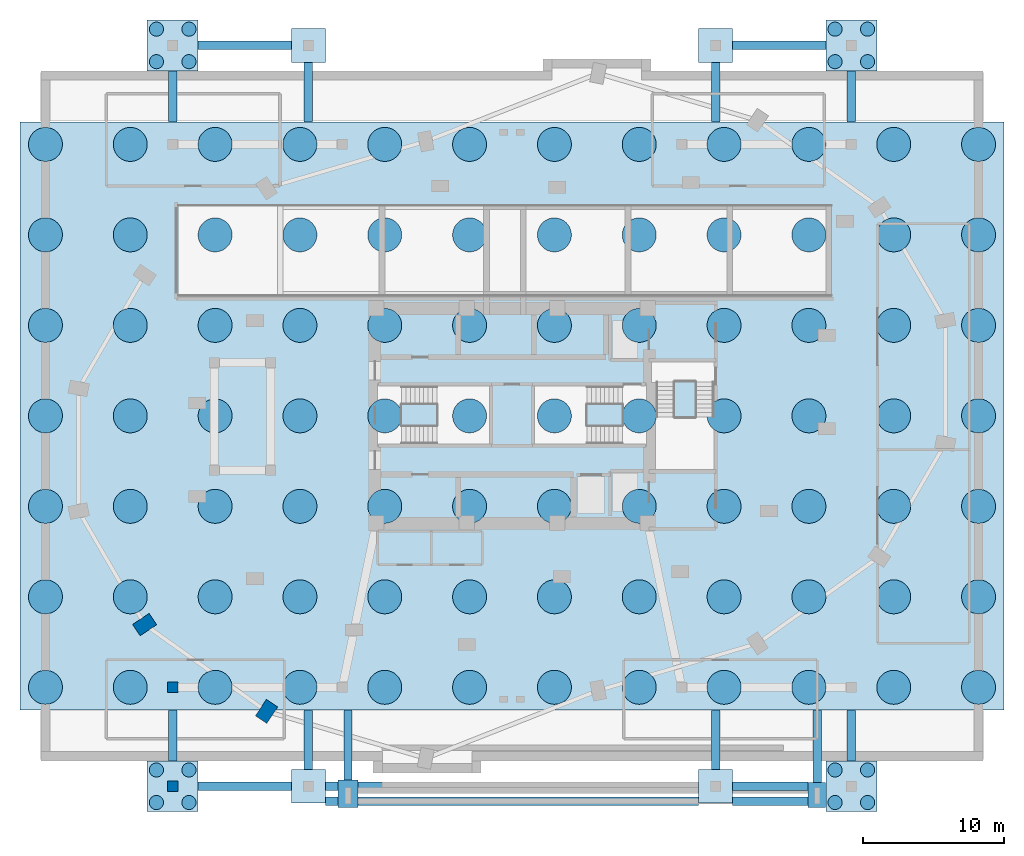
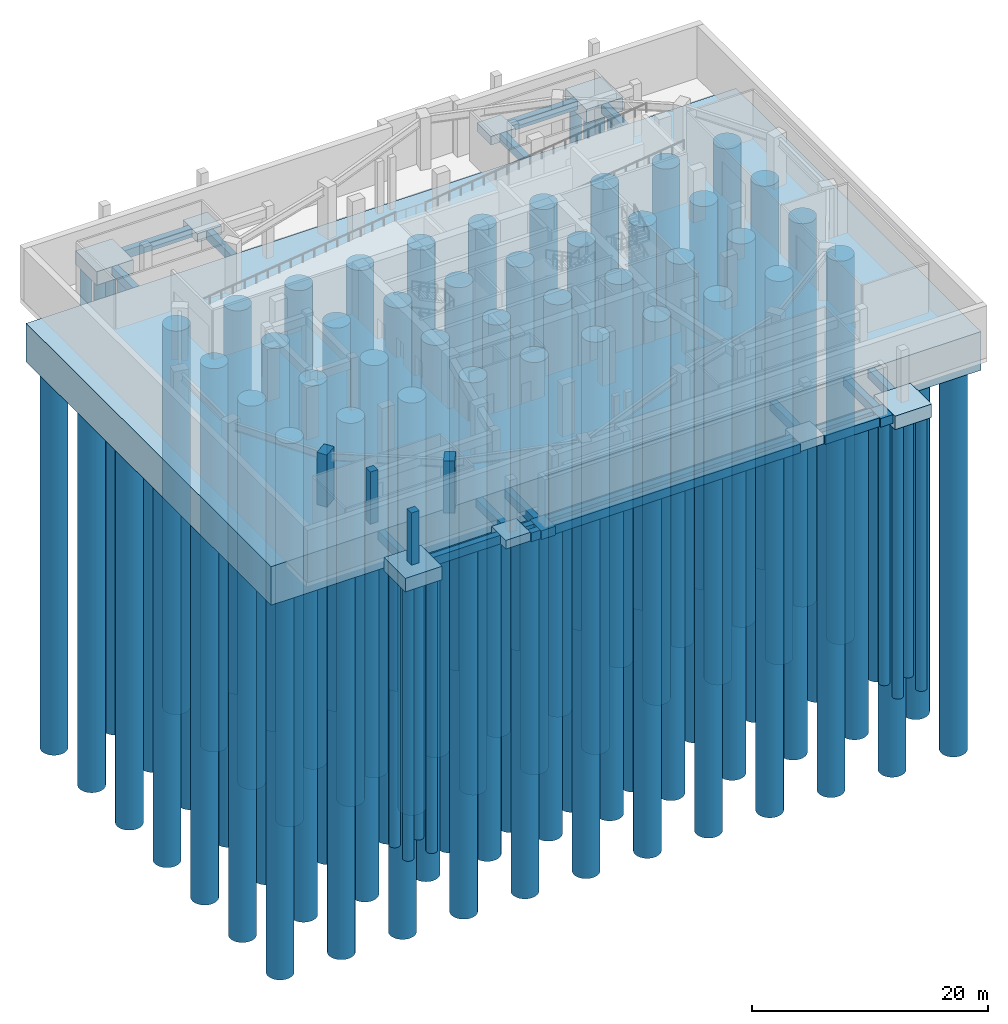
# One storey, part 1 of 8: 100 piles, 30 footings, 4 columns.
"""IFC4 building model written with IfcOpenShell, lengths in metres."""

from ifc_helpers import new_model, si_unit, direction, frame, origin, origin_2d, place, context, subcontext, project, spatial, polyline, rectangle, circle, outline, extrude, material, layer, layer_set, material_profile, profile_set, type_object, element, save


model = new_model("IFC4")

# Units and contexts
model_context = context("Model", 3, precision=1e-05, world=origin(), true_north=direction((0.0, 1.0)))
body_context = subcontext(model_context, "Body", "Model", "MODEL_VIEW")
ifc_project = project(units=[si_unit("LENGTHUNIT", "METRE"), si_unit("AREAUNIT", "SQUARE_METRE"), si_unit("VOLUMEUNIT", "CUBIC_METRE"), si_unit("PLANEANGLEUNIT", "RADIAN"), si_unit("MASSUNIT", "GRAM", prefix="KILO")], contexts=[model_context])

# Site, building, storey
site_placement = place(None, origin())
site = spatial("IfcSite", under=ifc_project, at=site_placement, CompositionType="ELEMENT")
building_placement = place(site_placement, origin())
building = spatial("IfcBuilding", under=site, at=building_placement, Name="Lazwardi Medical Tower", CompositionType="ELEMENT")
storey_placement = place(building_placement, frame((0.0, 0.0, -5.39990234375)))
storey = spatial("IfcBuildingStorey", under=building, at=storey_placement, Name="B1", CompositionType="ELEMENT", Elevation=-5.39990234375)

# Footings
ifc_material_1 = material(Name="Concrete C45/55", Category="concrete")
ifc_layer_1 = layer(ifc_material_1, 1.39990234375)
ifc_layer_set_1 = layer_set([ifc_layer_1], Name="Concrete C45/55")
footing_type_1 = type_object("IfcFootingType", Name="FTG-CAP-01", PredefinedType="PILE_CAP", material=ifc_layer_set_1)
footing_1_placement = place(storey_placement, frame((0.0, 0.0, -1.400146484375)))
element("IfcFooting", 1, at=footing_1_placement, inside=storey, type_object=footing_type_1, Name="South west canopy pile cap PC-F1", PredefinedType="PILE_CAP", context=body_context, shape_type="SweptSolid", body=[
    extrude(outline(polyline([(10.199951171875, 0.0), (13.800048828125, 0.0), (13.800048828125, 3.60009765625), (10.199951171875, 3.60009765625), (10.199951171875, 0.0)])), origin(), (0.0, 0.0, 1.0), 1.400146484375),
])
footing_2_placement = place(storey_placement, frame((0.0, 0.0, -1.400146484375)))
element("IfcFooting", 2, at=footing_2_placement, inside=storey, type_object=footing_type_1, Name="South east canopy pile cap PC-F1", PredefinedType="PILE_CAP", context=body_context, shape_type="SweptSolid", body=[
    extrude(outline(polyline([(58.199951171875, 0.0), (61.800048828125, 0.0), (61.800048828125, 3.60009765625), (58.199951171875, 3.60009765625), (58.199951171875, 0.0)])), origin(), (0.0, 0.0, 1.0), 1.400146484375),
])
footing_3_placement = place(storey_placement, frame((0.0, 0.0, -1.400146484375)))
element("IfcFooting", 3, at=footing_3_placement, inside=storey, type_object=footing_type_1, Name="North west canopy pile cap PC-F1", PredefinedType="PILE_CAP", context=body_context, shape_type="SweptSolid", body=[
    extrude(outline(polyline([(10.199951171875, 52.39990234375), (13.800048828125, 52.39990234375), (13.800048828125, 56.0), (10.199951171875, 56.0), (10.199951171875, 52.39990234375)])), origin(), (0.0, 0.0, 1.0), 1.400146484375),
])
footing_4_placement = place(storey_placement, frame((0.0, 0.0, -1.400146484375)))
element("IfcFooting", 4, at=footing_4_placement, inside=storey, type_object=footing_type_1, Name="North east canopy pile cap PC-F1", PredefinedType="PILE_CAP", context=body_context, shape_type="SweptSolid", body=[
    extrude(outline(polyline([(58.199951171875, 52.39990234375), (61.800048828125, 52.39990234375), (61.800048828125, 56.0), (58.199951171875, 56.0), (58.199951171875, 52.39990234375)])), origin(), (0.0, 0.0, 1.0), 1.400146484375),
])
ifc_material_profile_1 = material_profile(ifc_material_1, rectangle(XDim=0.60009765625, YDim=0.89990234375, at=origin_2d()), Name="RC-GB 600x900")
ifc_profile_set_1 = profile_set([ifc_material_profile_1], Name="Concrete C45/55")
footing_type_2 = type_object("IfcFootingType", Name="FTG-GB-01", PredefinedType="FOOTING_BEAM", material=ifc_profile_set_1)
footing_5_placement = place(storey_placement, frame((13.800048828125, 1.800048828125, -0.4501953125), z_axis=(1.0, 0.0, 0.0), x_axis=(0.0, 1.0, 0.0)))
element("IfcFooting", 5, at=footing_5_placement, inside=storey, type_object=footing_type_2, Name="Ground beam GB-01 south west", PredefinedType="FOOTING_BEAM", context=body_context, shape_type="SweptSolid", body=[
    extrude(rectangle(XDim=0.60009765625, YDim=0.89990234375, at=origin_2d()), origin(), (0.0, 0.0, 1.0), 6.599853515625),
])
footing_6_placement = place(storey_placement, frame((22.81005859375, 1.800048828125, -0.4501953125), z_axis=(1.0, 0.0, 0.0), x_axis=(0.0, 1.0, 0.0)))
element("IfcFooting", 6, at=footing_6_placement, inside=storey, type_object=footing_type_2, Name="Ground beam GB-01 south west link", PredefinedType="FOOTING_BEAM", context=body_context, shape_type="SweptSolid", body=[
    extrude(rectangle(XDim=0.60009765625, YDim=0.89990234375, at=origin_2d()), origin(), (0.0, 0.0, 1.0), 0.8798828125),
])
footing_7_placement = place(storey_placement, frame((25.110107421875, 1.800048828125, -0.4501953125), z_axis=(1.0, 0.0, 0.0), x_axis=(0.0, 1.0, 0.0)))
element("IfcFooting", 7, at=footing_7_placement, inside=storey, type_object=footing_type_2, Name="Ground beam GB-01 south drop-off apron", PredefinedType="FOOTING_BEAM", context=body_context, shape_type="SweptSolid", body=[
    extrude(rectangle(XDim=0.60009765625, YDim=0.89990234375, at=origin_2d()), origin(), (0.0, 0.0, 1.0), 24.079833984375),
])
footing_8_placement = place(storey_placement, frame((22.81005859375, 0.75, -0.4501953125), z_axis=(1.0, 0.0, 0.0), x_axis=(0.0, 1.0, 0.0)))
element("IfcFooting", 8, at=footing_8_placement, inside=storey, type_object=footing_type_2, Name="Ground beam GB-01 south apron kerb west link", PredefinedType="FOOTING_BEAM", context=body_context, shape_type="SweptSolid", body=[
    extrude(rectangle(XDim=0.60009765625, YDim=0.89990234375, at=origin_2d()), origin(), (0.0, 0.0, 1.0), 0.8798828125),
])
footing_9_placement = place(storey_placement, frame((25.110107421875, 0.75, -0.4501953125), z_axis=(1.0, 0.0, 0.0), x_axis=(0.0, 1.0, 0.0)))
element("IfcFooting", 9, at=footing_9_placement, inside=storey, type_object=footing_type_2, Name="Ground beam GB-01 south apron kerb west", PredefinedType="FOOTING_BEAM", context=body_context, shape_type="SweptSolid", body=[
    extrude(rectangle(XDim=0.60009765625, YDim=0.89990234375, at=origin_2d()), origin(), (0.0, 0.0, 1.0), 24.079833984375),
])
footing_10_placement = place(storey_placement, frame((51.610107421875, 0.75, -0.4501953125), z_axis=(1.0, 0.0, 0.0), x_axis=(0.0, 1.0, 0.0)))
element("IfcFooting", 10, at=footing_10_placement, inside=storey, type_object=footing_type_2, Name="Ground beam GB-01 south apron kerb east", PredefinedType="FOOTING_BEAM", context=body_context, shape_type="SweptSolid", body=[
    extrude(rectangle(XDim=0.60009765625, YDim=0.89990234375, at=origin_2d()), origin(), (0.0, 0.0, 1.0), 5.329833984375),
])
footing_11_placement = place(storey_placement, frame((24.39990234375, 2.260009765625, -0.4501953125), z_axis=(0.0, 1.0, 0.0), x_axis=(-1.0, 0.0, 0.0)))
element("IfcFooting", 11, at=footing_11_placement, inside=storey, type_object=footing_type_2, Name="Ground beam GB-01 south apron west tie", PredefinedType="FOOTING_BEAM", context=body_context, shape_type="SweptSolid", body=[
    extrude(rectangle(XDim=0.60009765625, YDim=0.89990234375, at=origin_2d()), origin(), (0.0, 0.0, 1.0), 4.929931640625),
])
footing_12_placement = place(storey_placement, frame((57.60009765625, 2.06005859375, -0.4501953125), z_axis=(0.0, 1.0, 0.0), x_axis=(-1.0, 0.0, 0.0)))
element("IfcFooting", 12, at=footing_12_placement, inside=storey, type_object=footing_type_2, Name="Ground beam GB-01 south apron east tie", PredefinedType="FOOTING_BEAM", context=body_context, shape_type="SweptSolid", body=[
    extrude(rectangle(XDim=0.60009765625, YDim=0.89990234375, at=origin_2d()), origin(), (0.0, 0.0, 1.0), 5.1298828125),
])
footing_13_placement = place(storey_placement, frame((51.610107421875, 1.800048828125, -0.4501953125), z_axis=(1.0, 0.0, 0.0), x_axis=(0.0, 1.0, 0.0)))
element("IfcFooting", 13, at=footing_13_placement, inside=storey, type_object=footing_type_2, Name="Ground beam GB-01 south east", PredefinedType="FOOTING_BEAM", context=body_context, shape_type="SweptSolid", body=[
    extrude(rectangle(XDim=0.60009765625, YDim=0.89990234375, at=origin_2d()), origin(), (0.0, 0.0, 1.0), 5.329833984375),
])
for number, where, z_axis, x_axis, name in (
    (14, (13.800048828125, 54.199951171875, -0.4501953125), (1.0, 0.0, 0.0), (0.0, 1.0, 0.0), "Ground beam GB-01 north west"),
    (15, (51.60009765625, 54.199951171875, -0.4501953125), (1.0, 0.0, 0.0), (0.0, 1.0, 0.0), "Ground beam GB-01 north east"),
):
    element("IfcFooting", number, at=place(storey_placement, frame(where, z_axis=z_axis, x_axis=x_axis)), inside=storey, type_object=footing_type_2, Name=name, PredefinedType="FOOTING_BEAM", context=body_context, shape_type="SweptSolid", body=[
        extrude(rectangle(XDim=0.60009765625, YDim=0.89990234375, at=origin_2d()), origin(), (0.0, 0.0, 1.0), 6.599853515625),
    ])
footing_14_placement = place(storey_placement, frame((12.0, 3.60009765625, -0.4501953125), z_axis=(0.0, 1.0, 0.0), x_axis=(-1.0, 0.0, 0.0)))
element("IfcFooting", 16, at=footing_14_placement, inside=storey, type_object=footing_type_2, Name="Ground beam GB-01 tie SW", PredefinedType="FOOTING_BEAM", context=body_context, shape_type="SweptSolid", body=[
    extrude(rectangle(XDim=0.60009765625, YDim=0.89990234375, at=origin_2d()), origin(), (0.0, 0.0, 1.0), 3.599853515625),
])
for number, where, z_axis, x_axis, name in (
    (17, (21.60009765625, 3.0, -0.4501953125), (0.0, 1.0, 0.0), (-1.0, 0.0, 0.0), "Ground beam GB-01 tie S1"),
    (18, (50.39990234375, 3.0, -0.4501953125), (0.0, 1.0, 0.0), (-1.0, 0.0, 0.0), "Ground beam GB-01 tie S2"),
):
    element("IfcFooting", number, at=place(storey_placement, frame(where, z_axis=z_axis, x_axis=x_axis)), inside=storey, type_object=footing_type_2, Name=name, PredefinedType="FOOTING_BEAM", context=body_context, shape_type="SweptSolid", body=[
        extrude(rectangle(XDim=0.60009765625, YDim=0.89990234375, at=origin_2d()), origin(), (0.0, 0.0, 1.0), 4.199951171875),
    ])
for number, where, z_axis, x_axis, name in (
    (19, (60.0, 3.60009765625, -0.4501953125), (0.0, 1.0, 0.0), (-1.0, 0.0, 0.0), "Ground beam GB-01 tie SE"),
    (20, (12.0, 52.39990234375, -0.4501953125), (0.0, -1.0, 0.0), (1.0, 0.0, 0.0), "Ground beam GB-01 tie NW"),
):
    element("IfcFooting", number, at=place(storey_placement, frame(where, z_axis=z_axis, x_axis=x_axis)), inside=storey, type_object=footing_type_2, Name=name, PredefinedType="FOOTING_BEAM", context=body_context, shape_type="SweptSolid", body=[
        extrude(rectangle(XDim=0.60009765625, YDim=0.89990234375, at=origin_2d()), origin(), (0.0, 0.0, 1.0), 3.599853515625),
    ])
for number, where, z_axis, x_axis, name in (
    (21, (21.60009765625, 53.0, -0.4501953125), (0.0, -1.0, 0.0), (1.0, 0.0, 0.0), "Ground beam GB-01 tie N1"),
    (22, (50.39990234375, 53.0, -0.4501953125), (0.0, -1.0, 0.0), (1.0, 0.0, 0.0), "Ground beam GB-01 tie N2"),
):
    element("IfcFooting", number, at=place(storey_placement, frame(where, z_axis=z_axis, x_axis=x_axis)), inside=storey, type_object=footing_type_2, Name=name, PredefinedType="FOOTING_BEAM", context=body_context, shape_type="SweptSolid", body=[
        extrude(rectangle(XDim=0.60009765625, YDim=0.89990234375, at=origin_2d()), origin(), (0.0, 0.0, 1.0), 4.199951171875),
    ])
footing_15_placement = place(storey_placement, frame((60.0, 52.39990234375, -0.4501953125), z_axis=(0.0, -1.0, 0.0), x_axis=(1.0, 0.0, 0.0)))
element("IfcFooting", 23, at=footing_15_placement, inside=storey, type_object=footing_type_2, Name="Ground beam GB-01 tie NE", PredefinedType="FOOTING_BEAM", context=body_context, shape_type="SweptSolid", body=[
    extrude(rectangle(XDim=0.60009765625, YDim=0.89990234375, at=origin_2d()), origin(), (0.0, 0.0, 1.0), 3.599853515625),
])
ifc_material_2 = material(Name="Concrete C40/50", Category="concrete")
ifc_layer_2 = layer(ifc_material_2, 0.89990234375)
ifc_layer_set_2 = layer_set([ifc_layer_2], Name="Concrete C40/50")
footing_type_3 = type_object("IfcFootingType", Name="FTG-PAD-01", PredefinedType="PAD_FOOTING", material=ifc_layer_set_2)
footing_16_placement = place(storey_placement, frame((0.0, 0.0, -0.900146484375)))
element("IfcFooting", 24, at=footing_16_placement, inside=storey, type_object=footing_type_3, Name="South west portal pad footing PF-01", PredefinedType="PAD_FOOTING", context=body_context, shape_type="SweptSolid", body=[
    extrude(outline(polyline([(20.39990234375, 0.60009765625), (22.800048828125, 0.60009765625), (22.800048828125, 3.0), (20.39990234375, 3.0), (20.39990234375, 0.60009765625)])), origin(), (0.0, 0.0, 1.0), 0.900146484375),
])
footing_17_placement = place(storey_placement, frame((0.0, 0.0, -0.900146484375)))
element("IfcFooting", 25, at=footing_17_placement, inside=storey, type_object=footing_type_3, Name="South east portal pad footing PF-01", PredefinedType="PAD_FOOTING", context=body_context, shape_type="SweptSolid", body=[
    extrude(outline(polyline([(49.199951171875, 0.60009765625), (51.60009765625, 0.60009765625), (51.60009765625, 3.0), (49.199951171875, 3.0), (49.199951171875, 0.60009765625)])), origin(), (0.0, 0.0, 1.0), 0.900146484375),
])
footing_18_placement = place(storey_placement, frame((0.0, 0.0, -0.900146484375)))
element("IfcFooting", 26, at=footing_18_placement, inside=storey, type_object=footing_type_3, Name="North west portal pad footing PF-01", PredefinedType="PAD_FOOTING", context=body_context, shape_type="SweptSolid", body=[
    extrude(outline(polyline([(20.39990234375, 53.0), (22.800048828125, 53.0), (22.800048828125, 55.39990234375), (20.39990234375, 55.39990234375), (20.39990234375, 53.0)])), origin(), (0.0, 0.0, 1.0), 0.900146484375),
])
footing_19_placement = place(storey_placement, frame((0.0, 0.0, -0.900146484375)))
element("IfcFooting", 27, at=footing_19_placement, inside=storey, type_object=footing_type_3, Name="North east portal pad footing PF-01", PredefinedType="PAD_FOOTING", context=body_context, shape_type="SweptSolid", body=[
    extrude(outline(polyline([(49.199951171875, 53.0), (51.60009765625, 53.0), (51.60009765625, 55.39990234375), (49.199951171875, 55.39990234375), (49.199951171875, 53.0)])), origin(), (0.0, 0.0, 1.0), 0.900146484375),
])
footing_20_placement = place(storey_placement, frame((0.0, 0.0, -0.900146484375)))
element("IfcFooting", 28, at=footing_20_placement, inside=storey, type_object=footing_type_3, Name="South apron west corner pad footing PF-01", PredefinedType="PAD_FOOTING", context=body_context, shape_type="SweptSolid", body=[
    extrude(outline(polyline([(23.699951171875, 0.300048828125), (25.10009765625, 0.300048828125), (25.10009765625, 2.25), (23.699951171875, 2.25), (23.699951171875, 0.300048828125)])), origin(), (0.0, 0.0, 1.0), 0.900146484375),
])
footing_21_placement = place(storey_placement, frame((0.0, 0.0, -0.900146484375)))
element("IfcFooting", 29, at=footing_21_placement, inside=storey, type_object=footing_type_3, Name="South apron east corner pad footing PF-01", PredefinedType="PAD_FOOTING", context=body_context, shape_type="SweptSolid", body=[
    extrude(outline(polyline([(56.949951171875, 0.300048828125), (58.179931640625, 0.300048828125), (58.179931640625, 2.050048828125), (56.949951171875, 2.050048828125), (56.949951171875, 0.300048828125)])), origin(), (0.0, 0.0, 1.0), 0.900146484375),
])
ifc_material_3 = material(Name="Concrete C50/60", Category="concrete")
ifc_layer_3 = layer(ifc_material_3, 4.0)
ifc_layer_set_3 = layer_set([ifc_layer_3], Name="Concrete C50/60")
footing_type_4 = type_object("IfcFootingType", Name="FTG-RAFT-01", PredefinedType="PILE_CAP", material=ifc_layer_set_3)
footing_22_placement = place(storey_placement, frame((0.0, 0.0, -4.0)))
element("IfcFooting", 30, at=footing_22_placement, inside=storey, type_object=footing_type_4, Name="Main tower Piled raft RF-01", PredefinedType="PILE_CAP", context=body_context, shape_type="SweptSolid", body=[
    extrude(outline(polyline([(1.199951171875, 7.199951171875), (70.800048828125, 7.199951171875), (70.800048828125, 48.800048828125), (1.199951171875, 48.800048828125), (1.199951171875, 7.199951171875)])), origin(), (0.0, 0.0, 1.0), 4.0),
])

# Piles
ifc_material_profile_2 = material_profile(ifc_material_1, circle(Radius=0.5, at=origin_2d()), Name="BORED PILE D1000")
ifc_profile_set_2 = profile_set([ifc_material_profile_2], Name="Concrete C45/55")
pile_type_1 = type_object("IfcPileType", Name="PILE-1000", PredefinedType="BORED", material=ifc_profile_set_2)
for number, where, z_axis, x_axis, name in (
    (31, (10.85009765625, 0.64990234375, -1.25), (0.0, 0.0, -1.0), (1.0, 0.0, 0.0), "Canopy bored pile BP-02 01"),
    (32, (10.85009765625, 2.949951171875, -1.25), (0.0, 0.0, -1.0), (1.0, 0.0, 0.0), "Canopy bored pile BP-02 02"),
    (33, (13.14990234375, 0.64990234375, -1.25), (0.0, 0.0, -1.0), (1.0, 0.0, 0.0), "Canopy bored pile BP-02 03"),
    (34, (13.14990234375, 2.949951171875, -1.25), (0.0, 0.0, -1.0), (1.0, 0.0, 0.0), "Canopy bored pile BP-02 04"),
    (35, (58.85009765625, 0.64990234375, -1.25), (0.0, 0.0, -1.0), (1.0, 0.0, 0.0), "Canopy bored pile BP-02 05"),
    (36, (58.85009765625, 2.949951171875, -1.25), (0.0, 0.0, -1.0), (1.0, 0.0, 0.0), "Canopy bored pile BP-02 06"),
    (37, (61.14990234375, 0.64990234375, -1.25), (0.0, 0.0, -1.0), (1.0, 0.0, 0.0), "Canopy bored pile BP-02 07"),
    (38, (61.14990234375, 2.949951171875, -1.25), (0.0, 0.0, -1.0), (1.0, 0.0, 0.0), "Canopy bored pile BP-02 08"),
    (39, (10.85009765625, 53.050048828125, -1.25), (0.0, 0.0, -1.0), (1.0, 0.0, 0.0), "Canopy bored pile BP-02 09"),
    (40, (10.85009765625, 55.35009765625, -1.25), (0.0, 0.0, -1.0), (1.0, 0.0, 0.0), "Canopy bored pile BP-02 10"),
    (41, (13.14990234375, 53.050048828125, -1.25), (0.0, 0.0, -1.0), (1.0, 0.0, 0.0), "Canopy bored pile BP-02 11"),
    (42, (13.14990234375, 55.35009765625, -1.25), (0.0, 0.0, -1.0), (1.0, 0.0, 0.0), "Canopy bored pile BP-02 12"),
    (43, (58.85009765625, 53.050048828125, -1.25), (0.0, 0.0, -1.0), (1.0, 0.0, 0.0), "Canopy bored pile BP-02 13"),
    (44, (58.85009765625, 55.35009765625, -1.25), (0.0, 0.0, -1.0), (1.0, 0.0, 0.0), "Canopy bored pile BP-02 14"),
    (45, (61.14990234375, 53.050048828125, -1.25), (0.0, 0.0, -1.0), (1.0, 0.0, 0.0), "Canopy bored pile BP-02 15"),
    (46, (61.14990234375, 55.35009765625, -1.25), (0.0, 0.0, -1.0), (1.0, 0.0, 0.0), "Canopy bored pile BP-02 16"),
):
    element("IfcPile", number, at=place(storey_placement, frame(where, z_axis=z_axis, x_axis=x_axis)), inside=storey, type_object=pile_type_1, Name=name, PredefinedType="BORED", context=body_context, shape_type="SweptSolid", body=[
        extrude(circle(Radius=0.5, at=origin_2d()), origin(), (0.0, 0.0, 1.0), 28.35009765625),
    ])
ifc_material_profile_3 = material_profile(ifc_material_3, circle(Radius=1.199951171875, at=origin_2d()), Name="BORED PILE D2400")
ifc_profile_set_3 = profile_set([ifc_material_profile_3], Name="Concrete C50/60")
pile_type_2 = type_object("IfcPileType", Name="PILE-2400", PredefinedType="BORED", material=ifc_profile_set_3)
for number, where, z_axis, x_axis, name in (
    (47, (3.0, 8.800048828125, -3.85009765625), (0.0, 0.0, -1.0), (1.0, 0.0, 0.0), "Tower bored pile BP-01 001"),
    (48, (3.0, 15.199951171875, -3.85009765625), (0.0, 0.0, -1.0), (1.0, 0.0, 0.0), "Tower bored pile BP-01 002"),
    (49, (3.0, 21.60009765625, -3.85009765625), (0.0, 0.0, -1.0), (1.0, 0.0, 0.0), "Tower bored pile BP-01 003"),
    (50, (3.0, 28.0, -3.85009765625), (0.0, 0.0, -1.0), (1.0, 0.0, 0.0), "Tower bored pile BP-01 004"),
    (51, (3.0, 34.39990234375, -3.85009765625), (0.0, 0.0, -1.0), (1.0, 0.0, 0.0), "Tower bored pile BP-01 005"),
    (52, (3.0, 40.800048828125, -3.85009765625), (0.0, 0.0, -1.0), (1.0, 0.0, 0.0), "Tower bored pile BP-01 006"),
    (53, (3.0, 47.199951171875, -3.85009765625), (0.0, 0.0, -1.0), (1.0, 0.0, 0.0), "Tower bored pile BP-01 007"),
    (54, (9.0, 8.800048828125, -3.85009765625), (0.0, 0.0, -1.0), (1.0, 0.0, 0.0), "Tower bored pile BP-01 008"),
    (55, (9.0, 15.199951171875, -3.85009765625), (0.0, 0.0, -1.0), (1.0, 0.0, 0.0), "Tower bored pile BP-01 009"),
    (56, (9.0, 21.60009765625, -3.85009765625), (0.0, 0.0, -1.0), (1.0, 0.0, 0.0), "Tower bored pile BP-01 010"),
    (57, (9.0, 28.0, -3.85009765625), (0.0, 0.0, -1.0), (1.0, 0.0, 0.0), "Tower bored pile BP-01 011"),
    (58, (9.0, 34.39990234375, -3.85009765625), (0.0, 0.0, -1.0), (1.0, 0.0, 0.0), "Tower bored pile BP-01 012"),
    (59, (9.0, 40.800048828125, -3.85009765625), (0.0, 0.0, -1.0), (1.0, 0.0, 0.0), "Tower bored pile BP-01 013"),
    (60, (9.0, 47.199951171875, -3.85009765625), (0.0, 0.0, -1.0), (1.0, 0.0, 0.0), "Tower bored pile BP-01 014"),
    (61, (15.0, 8.800048828125, -3.85009765625), (0.0, 0.0, -1.0), (1.0, 0.0, 0.0), "Tower bored pile BP-01 015"),
    (62, (15.0, 15.199951171875, -3.85009765625), (0.0, 0.0, -1.0), (1.0, 0.0, 0.0), "Tower bored pile BP-01 016"),
    (63, (15.0, 21.60009765625, -3.85009765625), (0.0, 0.0, -1.0), (1.0, 0.0, 0.0), "Tower bored pile BP-01 017"),
    (64, (15.0, 28.0, -3.85009765625), (0.0, 0.0, -1.0), (1.0, 0.0, 0.0), "Tower bored pile BP-01 018"),
    (65, (15.0, 34.39990234375, -3.85009765625), (0.0, 0.0, -1.0), (1.0, 0.0, 0.0), "Tower bored pile BP-01 019"),
    (66, (15.0, 40.800048828125, -3.85009765625), (0.0, 0.0, -1.0), (1.0, 0.0, 0.0), "Tower bored pile BP-01 020"),
    (67, (15.0, 47.199951171875, -3.85009765625), (0.0, 0.0, -1.0), (1.0, 0.0, 0.0), "Tower bored pile BP-01 021"),
    (68, (21.0, 8.800048828125, -3.85009765625), (0.0, 0.0, -1.0), (1.0, 0.0, 0.0), "Tower bored pile BP-01 022"),
    (69, (21.0, 15.199951171875, -3.85009765625), (0.0, 0.0, -1.0), (1.0, 0.0, 0.0), "Tower bored pile BP-01 023"),
    (70, (21.0, 21.60009765625, -3.85009765625), (0.0, 0.0, -1.0), (1.0, 0.0, 0.0), "Tower bored pile BP-01 024"),
    (71, (21.0, 28.0, -3.85009765625), (0.0, 0.0, -1.0), (1.0, 0.0, 0.0), "Tower bored pile BP-01 025"),
    (72, (21.0, 34.39990234375, -3.85009765625), (0.0, 0.0, -1.0), (1.0, 0.0, 0.0), "Tower bored pile BP-01 026"),
    (73, (21.0, 40.800048828125, -3.85009765625), (0.0, 0.0, -1.0), (1.0, 0.0, 0.0), "Tower bored pile BP-01 027"),
    (74, (21.0, 47.199951171875, -3.85009765625), (0.0, 0.0, -1.0), (1.0, 0.0, 0.0), "Tower bored pile BP-01 028"),
    (75, (27.0, 8.800048828125, -3.85009765625), (0.0, 0.0, -1.0), (1.0, 0.0, 0.0), "Tower bored pile BP-01 029"),
    (76, (27.0, 15.199951171875, -3.85009765625), (0.0, 0.0, -1.0), (1.0, 0.0, 0.0), "Tower bored pile BP-01 030"),
):
    element("IfcPile", number, at=place(storey_placement, frame(where, z_axis=z_axis, x_axis=x_axis)), inside=storey, type_object=pile_type_2, Name=name, PredefinedType="BORED", context=body_context, shape_type="SweptSolid", body=[
        extrude(circle(Radius=1.199951171875, at=origin_2d()), origin(), (0.0, 0.0, 1.0), 39.75),
    ])
for number, where, z_axis, x_axis, name in (
    (77, (27.0, 21.60009765625, -3.85009765625), (0.0, 0.0, -1.0), (1.0, 0.0, 0.0), "Tower bored pile BP-01 031"),
    (78, (27.0, 28.0, -3.85009765625), (0.0, 0.0, -1.0), (1.0, 0.0, 0.0), "Tower bored pile BP-01 032"),
    (79, (27.0, 34.39990234375, -3.85009765625), (0.0, 0.0, -1.0), (1.0, 0.0, 0.0), "Tower bored pile BP-01 033"),
):
    element("IfcPile", number, at=place(storey_placement, frame(where, z_axis=z_axis, x_axis=x_axis)), inside=storey, type_object=pile_type_2, Name=name, PredefinedType="BORED", context=body_context, shape_type="SweptSolid", body=[
        extrude(circle(Radius=1.199951171875, at=origin_2d()), origin(), (0.0, 0.0, 1.0), 42.75),
    ])
for number, where, z_axis, x_axis, name in (
    (80, (27.0, 40.800048828125, -3.85009765625), (0.0, 0.0, -1.0), (1.0, 0.0, 0.0), "Tower bored pile BP-01 034"),
    (81, (27.0, 47.199951171875, -3.85009765625), (0.0, 0.0, -1.0), (1.0, 0.0, 0.0), "Tower bored pile BP-01 035"),
    (82, (33.0, 8.800048828125, -3.85009765625), (0.0, 0.0, -1.0), (1.0, 0.0, 0.0), "Tower bored pile BP-01 036"),
    (83, (33.0, 15.199951171875, -3.85009765625), (0.0, 0.0, -1.0), (1.0, 0.0, 0.0), "Tower bored pile BP-01 037"),
):
    element("IfcPile", number, at=place(storey_placement, frame(where, z_axis=z_axis, x_axis=x_axis)), inside=storey, type_object=pile_type_2, Name=name, PredefinedType="BORED", context=body_context, shape_type="SweptSolid", body=[
        extrude(circle(Radius=1.199951171875, at=origin_2d()), origin(), (0.0, 0.0, 1.0), 39.75),
    ])
for number, where, z_axis, x_axis, name in (
    (84, (33.0, 21.60009765625, -3.85009765625), (0.0, 0.0, -1.0), (1.0, 0.0, 0.0), "Tower bored pile BP-01 038"),
    (85, (33.0, 28.0, -3.85009765625), (0.0, 0.0, -1.0), (1.0, 0.0, 0.0), "Tower bored pile BP-01 039"),
    (86, (33.0, 34.39990234375, -3.85009765625), (0.0, 0.0, -1.0), (1.0, 0.0, 0.0), "Tower bored pile BP-01 040"),
):
    element("IfcPile", number, at=place(storey_placement, frame(where, z_axis=z_axis, x_axis=x_axis)), inside=storey, type_object=pile_type_2, Name=name, PredefinedType="BORED", context=body_context, shape_type="SweptSolid", body=[
        extrude(circle(Radius=1.199951171875, at=origin_2d()), origin(), (0.0, 0.0, 1.0), 42.75),
    ])
for number, where, z_axis, x_axis, name in (
    (87, (33.0, 40.800048828125, -3.85009765625), (0.0, 0.0, -1.0), (1.0, 0.0, 0.0), "Tower bored pile BP-01 041"),
    (88, (33.0, 47.199951171875, -3.85009765625), (0.0, 0.0, -1.0), (1.0, 0.0, 0.0), "Tower bored pile BP-01 042"),
    (89, (39.0, 8.800048828125, -3.85009765625), (0.0, 0.0, -1.0), (1.0, 0.0, 0.0), "Tower bored pile BP-01 043"),
    (90, (39.0, 15.199951171875, -3.85009765625), (0.0, 0.0, -1.0), (1.0, 0.0, 0.0), "Tower bored pile BP-01 044"),
):
    element("IfcPile", number, at=place(storey_placement, frame(where, z_axis=z_axis, x_axis=x_axis)), inside=storey, type_object=pile_type_2, Name=name, PredefinedType="BORED", context=body_context, shape_type="SweptSolid", body=[
        extrude(circle(Radius=1.199951171875, at=origin_2d()), origin(), (0.0, 0.0, 1.0), 39.75),
    ])
for number, where, z_axis, x_axis, name in (
    (91, (39.0, 21.60009765625, -3.85009765625), (0.0, 0.0, -1.0), (1.0, 0.0, 0.0), "Tower bored pile BP-01 045"),
    (92, (39.0, 28.0, -3.85009765625), (0.0, 0.0, -1.0), (1.0, 0.0, 0.0), "Tower bored pile BP-01 046"),
    (93, (39.0, 34.39990234375, -3.85009765625), (0.0, 0.0, -1.0), (1.0, 0.0, 0.0), "Tower bored pile BP-01 047"),
):
    element("IfcPile", number, at=place(storey_placement, frame(where, z_axis=z_axis, x_axis=x_axis)), inside=storey, type_object=pile_type_2, Name=name, PredefinedType="BORED", context=body_context, shape_type="SweptSolid", body=[
        extrude(circle(Radius=1.199951171875, at=origin_2d()), origin(), (0.0, 0.0, 1.0), 42.75),
    ])
for number, where, z_axis, x_axis, name in (
    (94, (39.0, 40.800048828125, -3.85009765625), (0.0, 0.0, -1.0), (1.0, 0.0, 0.0), "Tower bored pile BP-01 048"),
    (95, (39.0, 47.199951171875, -3.85009765625), (0.0, 0.0, -1.0), (1.0, 0.0, 0.0), "Tower bored pile BP-01 049"),
    (96, (45.0, 8.800048828125, -3.85009765625), (0.0, 0.0, -1.0), (1.0, 0.0, 0.0), "Tower bored pile BP-01 050"),
    (97, (45.0, 15.199951171875, -3.85009765625), (0.0, 0.0, -1.0), (1.0, 0.0, 0.0), "Tower bored pile BP-01 051"),
):
    element("IfcPile", number, at=place(storey_placement, frame(where, z_axis=z_axis, x_axis=x_axis)), inside=storey, type_object=pile_type_2, Name=name, PredefinedType="BORED", context=body_context, shape_type="SweptSolid", body=[
        extrude(circle(Radius=1.199951171875, at=origin_2d()), origin(), (0.0, 0.0, 1.0), 39.75),
    ])
for number, where, z_axis, x_axis, name in (
    (98, (45.0, 21.60009765625, -3.85009765625), (0.0, 0.0, -1.0), (1.0, 0.0, 0.0), "Tower bored pile BP-01 052"),
    (99, (45.0, 28.0, -3.85009765625), (0.0, 0.0, -1.0), (1.0, 0.0, 0.0), "Tower bored pile BP-01 053"),
    (100, (45.0, 34.39990234375, -3.85009765625), (0.0, 0.0, -1.0), (1.0, 0.0, 0.0), "Tower bored pile BP-01 054"),
):
    element("IfcPile", number, at=place(storey_placement, frame(where, z_axis=z_axis, x_axis=x_axis)), inside=storey, type_object=pile_type_2, Name=name, PredefinedType="BORED", context=body_context, shape_type="SweptSolid", body=[
        extrude(circle(Radius=1.199951171875, at=origin_2d()), origin(), (0.0, 0.0, 1.0), 42.75),
    ])
for number, where, z_axis, x_axis, name in (
    (101, (45.0, 40.800048828125, -3.85009765625), (0.0, 0.0, -1.0), (1.0, 0.0, 0.0), "Tower bored pile BP-01 055"),
    (102, (45.0, 47.199951171875, -3.85009765625), (0.0, 0.0, -1.0), (1.0, 0.0, 0.0), "Tower bored pile BP-01 056"),
    (103, (51.0, 8.800048828125, -3.85009765625), (0.0, 0.0, -1.0), (1.0, 0.0, 0.0), "Tower bored pile BP-01 057"),
    (104, (51.0, 15.199951171875, -3.85009765625), (0.0, 0.0, -1.0), (1.0, 0.0, 0.0), "Tower bored pile BP-01 058"),
    (105, (51.0, 21.60009765625, -3.85009765625), (0.0, 0.0, -1.0), (1.0, 0.0, 0.0), "Tower bored pile BP-01 059"),
    (106, (51.0, 28.0, -3.85009765625), (0.0, 0.0, -1.0), (1.0, 0.0, 0.0), "Tower bored pile BP-01 060"),
    (107, (51.0, 34.39990234375, -3.85009765625), (0.0, 0.0, -1.0), (1.0, 0.0, 0.0), "Tower bored pile BP-01 061"),
    (108, (51.0, 40.800048828125, -3.85009765625), (0.0, 0.0, -1.0), (1.0, 0.0, 0.0), "Tower bored pile BP-01 062"),
    (109, (51.0, 47.199951171875, -3.85009765625), (0.0, 0.0, -1.0), (1.0, 0.0, 0.0), "Tower bored pile BP-01 063"),
    (110, (57.0, 8.800048828125, -3.85009765625), (0.0, 0.0, -1.0), (1.0, 0.0, 0.0), "Tower bored pile BP-01 064"),
    (111, (57.0, 15.199951171875, -3.85009765625), (0.0, 0.0, -1.0), (1.0, 0.0, 0.0), "Tower bored pile BP-01 065"),
    (112, (57.0, 21.60009765625, -3.85009765625), (0.0, 0.0, -1.0), (1.0, 0.0, 0.0), "Tower bored pile BP-01 066"),
    (113, (57.0, 28.0, -3.85009765625), (0.0, 0.0, -1.0), (1.0, 0.0, 0.0), "Tower bored pile BP-01 067"),
    (114, (57.0, 34.39990234375, -3.85009765625), (0.0, 0.0, -1.0), (1.0, 0.0, 0.0), "Tower bored pile BP-01 068"),
    (115, (57.0, 40.800048828125, -3.85009765625), (0.0, 0.0, -1.0), (1.0, 0.0, 0.0), "Tower bored pile BP-01 069"),
    (116, (57.0, 47.199951171875, -3.85009765625), (0.0, 0.0, -1.0), (1.0, 0.0, 0.0), "Tower bored pile BP-01 070"),
    (117, (63.0, 8.800048828125, -3.85009765625), (0.0, 0.0, -1.0), (1.0, 0.0, 0.0), "Tower bored pile BP-01 071"),
    (118, (63.0, 15.199951171875, -3.85009765625), (0.0, 0.0, -1.0), (1.0, 0.0, 0.0), "Tower bored pile BP-01 072"),
    (119, (63.0, 21.60009765625, -3.85009765625), (0.0, 0.0, -1.0), (1.0, 0.0, 0.0), "Tower bored pile BP-01 073"),
    (120, (63.0, 28.0, -3.85009765625), (0.0, 0.0, -1.0), (1.0, 0.0, 0.0), "Tower bored pile BP-01 074"),
    (121, (63.0, 34.39990234375, -3.85009765625), (0.0, 0.0, -1.0), (1.0, 0.0, 0.0), "Tower bored pile BP-01 075"),
    (122, (63.0, 40.800048828125, -3.85009765625), (0.0, 0.0, -1.0), (1.0, 0.0, 0.0), "Tower bored pile BP-01 076"),
    (123, (63.0, 47.199951171875, -3.85009765625), (0.0, 0.0, -1.0), (1.0, 0.0, 0.0), "Tower bored pile BP-01 077"),
    (124, (69.0, 8.800048828125, -3.85009765625), (0.0, 0.0, -1.0), (1.0, 0.0, 0.0), "Tower bored pile BP-01 078"),
    (125, (69.0, 15.199951171875, -3.85009765625), (0.0, 0.0, -1.0), (1.0, 0.0, 0.0), "Tower bored pile BP-01 079"),
    (126, (69.0, 21.60009765625, -3.85009765625), (0.0, 0.0, -1.0), (1.0, 0.0, 0.0), "Tower bored pile BP-01 080"),
    (127, (69.0, 28.0, -3.85009765625), (0.0, 0.0, -1.0), (1.0, 0.0, 0.0), "Tower bored pile BP-01 081"),
    (128, (69.0, 34.39990234375, -3.85009765625), (0.0, 0.0, -1.0), (1.0, 0.0, 0.0), "Tower bored pile BP-01 082"),
    (129, (69.0, 40.800048828125, -3.85009765625), (0.0, 0.0, -1.0), (1.0, 0.0, 0.0), "Tower bored pile BP-01 083"),
    (130, (69.0, 47.199951171875, -3.85009765625), (0.0, 0.0, -1.0), (1.0, 0.0, 0.0), "Tower bored pile BP-01 084"),
):
    element("IfcPile", number, at=place(storey_placement, frame(where, z_axis=z_axis, x_axis=x_axis)), inside=storey, type_object=pile_type_2, Name=name, PredefinedType="BORED", context=body_context, shape_type="SweptSolid", body=[
        extrude(circle(Radius=1.199951171875, at=origin_2d()), origin(), (0.0, 0.0, 1.0), 39.75),
    ])

# Columns
ifc_material_4 = material(Name="Concrete C80/95", Category="concrete")
ifc_material_profile_4 = material_profile(ifc_material_4, rectangle(XDim=1.39990234375, YDim=0.9599609375, at=origin_2d()), Name="CFT-RECT 1400x960")
ifc_profile_set_4 = profile_set([ifc_material_profile_4], Name="Concrete C80/95")
column_type_1 = type_object("IfcColumnType", Name="COL-MC-B1", PredefinedType="COLUMN", material=ifc_profile_set_4)
for number, where, z_axis, x_axis, name in (
    (131, (10.0166015625, 13.238525390625, 0.0), (0.0, 0.0, 1.0), (-0.831469612303, -0.55557023302, 0.0), "Mega column MC-01 M14 B1"),
    (132, (18.638427734375, 7.099853515625, 0.0), (0.0, 0.0, 1.0), (-0.55557023302, -0.831469612303, 0.0), "Mega column MC-01 M15 B1"),
):
    element("IfcColumn", number, at=place(storey_placement, frame(where, z_axis=z_axis, x_axis=x_axis)), inside=storey, type_object=column_type_1, Name=name, PredefinedType="COLUMN", context=body_context, shape_type="SweptSolid", body=[
        extrude(rectangle(XDim=1.39990234375, YDim=0.9599609375, at=origin_2d()), origin(), (0.0, 0.0, 1.0), 5.39990234375),
    ])
ifc_material_profile_5 = material_profile(ifc_material_3, rectangle(XDim=0.75, YDim=0.75, at=origin_2d()), Name="RC 750x750")
ifc_profile_set_5 = profile_set([ifc_material_profile_5], Name="Concrete C50/60")
column_type_2 = type_object("IfcColumnType", Name="COL-PC-B1", PredefinedType="COLUMN", material=ifc_profile_set_5)
for number, where, z_axis, x_axis, name in (
    (133, (12.0, 8.800048828125, 0.0), (0.0, 0.0, 1.0), (1.0, 0.0, 0.0), "Basement column PC-01 BP01"),
    (134, (12.0, 1.800048828125, 0.0), (0.0, 0.0, 1.0), (1.0, 0.0, 0.0), "Canopy pedestal column PC-01 CN1"),
):
    element("IfcColumn", number, at=place(storey_placement, frame(where, z_axis=z_axis, x_axis=x_axis)), inside=storey, type_object=column_type_2, Name=name, PredefinedType="COLUMN", context=body_context, shape_type="SweptSolid", body=[
        extrude(rectangle(XDim=0.75, YDim=0.75, at=origin_2d()), origin(), (0.0, 0.0, 1.0), 5.39990234375),
    ])

save(model, "model.ifc")
